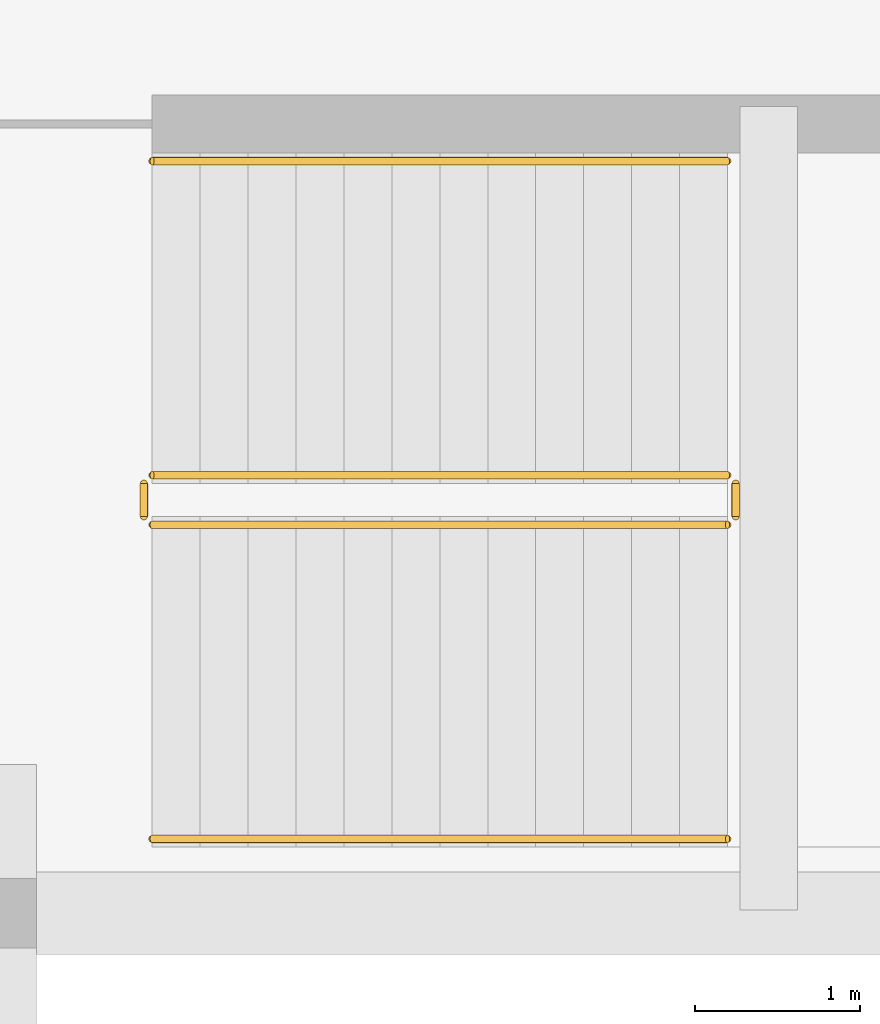
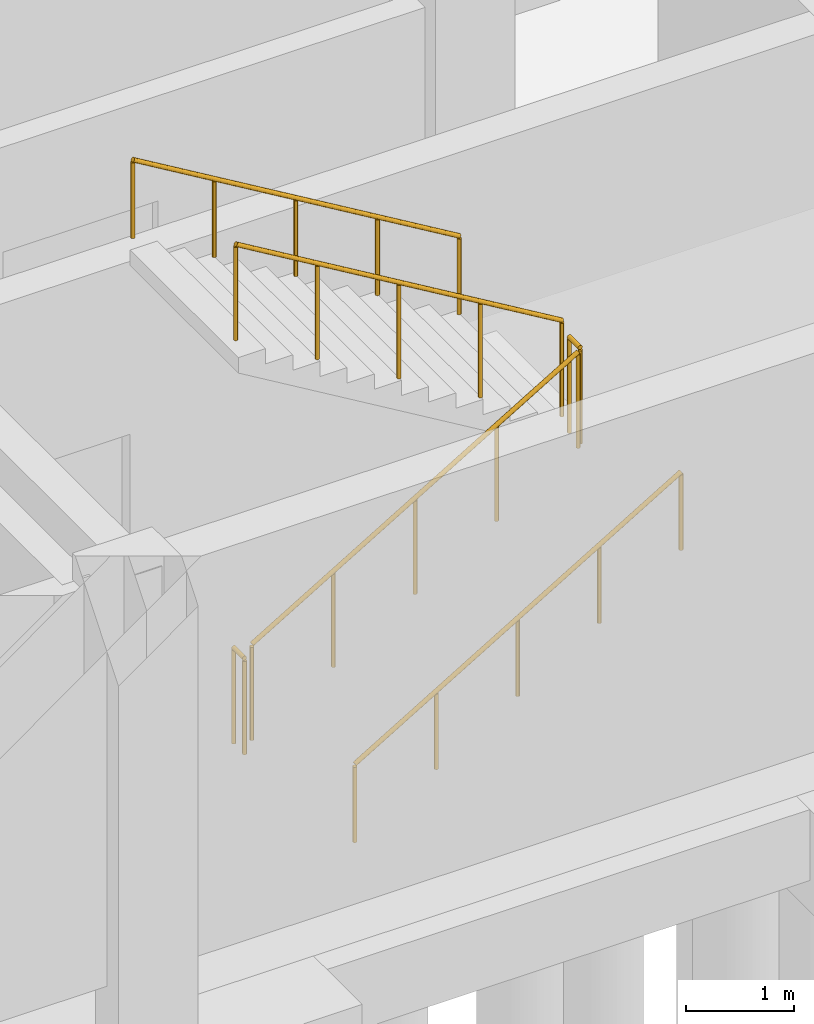
# One storey, part 23 of 26: 6 railings.
"""IFC4 building model written with IfcOpenShell, lengths in metres."""

from ifc_helpers import new_model, si_unit, direction, frame, origin, origin_2d, place, context, subcontext, project, spatial, circle, extrude, material, type_object, element, save


model = new_model("IFC4")

# Units and contexts
model_context = context("Model", 3, precision=1e-05, world=origin(), true_north=direction((0.0, 1.0)))
body_context = subcontext(model_context, "Body", "Model", "MODEL_VIEW")
ifc_project = project(units=[si_unit("LENGTHUNIT", "METRE"), si_unit("AREAUNIT", "SQUARE_METRE"), si_unit("VOLUMEUNIT", "CUBIC_METRE"), si_unit("PLANEANGLEUNIT", "RADIAN"), si_unit("MASSUNIT", "GRAM", prefix="KILO")], contexts=[model_context])

# Site, building, storey
site_placement = place(None, origin())
site = spatial("IfcSite", under=ifc_project, at=site_placement, CompositionType="ELEMENT")
building_placement = place(site_placement, origin())
building = spatial("IfcBuilding", under=site, at=building_placement, Name="Qorikala Patio Media Centre", CompositionType="ELEMENT")
storey_placement = place(building_placement, frame((0.0, 0.0, -4.5)))
storey = spatial("IfcBuildingStorey", under=building, at=storey_placement, Name="B1", CompositionType="ELEMENT", Elevation=-4.5)

# Railings
ifc_material_1 = material(Name="Wrought Bronze and Steel S355", Category="steel")
railing_type_1 = type_object("IfcRailingType", Name="RL-GUARD-110", PredefinedType="GUARDRAIL", material=ifc_material_1)
railing_1_placement = place(storey_placement, frame((124.60009765625, 5.35009765625, 0.173095703125)))
element("IfcRailing", 1, at=railing_1_placement, inside=storey, type_object=railing_type_1, Name="B1 ST-7 stair guard 1", PredefinedType="GUARDRAIL", context=body_context, shape_type="SweptSolid", body=[
    extrude(circle(Radius=0.02392578125, at=origin_2d()), frame((0.0, 0.0, 1.076171875), z_axis=(0.858697190188, 0.0, 0.512483302717), x_axis=(0.0, 1.0, 0.0)), (0.0, 0.0, 1.0), 4.052734375),
    extrude(circle(Radius=0.02099609375, at=origin_2d()), origin(), (0.0, 0.0, 1.0), 1.052001953125),
    extrude(circle(Radius=0.02099609375, at=origin_2d()), frame((0.8701171875, 0.0, 0.519287109375)), (0.0, 0.0, 1.0), 1.052001953125),
    extrude(circle(Radius=0.02099609375, at=origin_2d()), frame((1.739990234375, 0.0, 1.03857421875)), (0.0, 0.0, 1.0), 1.052001953125),
    extrude(circle(Radius=0.02099609375, at=origin_2d()), frame((2.60986328125, 0.0, 1.5576171875)), (0.0, 0.0, 1.0), 1.052001953125),
    extrude(circle(Radius=0.02099609375, at=origin_2d()), frame((3.47998046875, 0.0, 2.076904296875)), (0.0, 0.0, 1.0), 1.052001953125),
])
railing_2_placement = place(storey_placement, frame((128.1298828125, 5.39990234375, 2.25)))
element("IfcRailing", 2, at=railing_2_placement, inside=storey, type_object=railing_type_1, Name="B1 ST-7 stair guard 2", PredefinedType="GUARDRAIL", context=body_context, shape_type="SweptSolid", body=[
    extrude(circle(Radius=0.02392578125, at=origin_2d()), frame((0.0, 0.0, 1.076171875), z_axis=(0.0, 1.0, 0.0), x_axis=(-1.0, 0.0, 0.0)), (0.0, 0.0, 1.0), 0.2001953125),
    extrude(circle(Radius=0.02099609375, at=origin_2d()), origin(), (0.0, 0.0, 1.0), 1.052001953125),
    extrude(circle(Radius=0.02099609375, at=origin_2d()), frame((0.0, 0.2001953125, 0.0)), (0.0, 0.0, 1.0), 1.052001953125),
])
railing_3_placement = place(storey_placement, frame((128.080078125, 5.64990234375, 2.423095703125)))
element("IfcRailing", 3, at=railing_3_placement, inside=storey, type_object=railing_type_1, Name="B1 ST-7 stair guard 3", PredefinedType="GUARDRAIL", context=body_context, shape_type="SweptSolid", body=[
    extrude(circle(Radius=0.02392578125, at=origin_2d()), frame((0.0, 0.0, 1.076171875), z_axis=(-0.858697190188, 0.0, 0.512483302717), x_axis=(0.0, -1.0, 0.0)), (0.0, 0.0, 1.0), 4.052734375),
    extrude(circle(Radius=0.02099609375, at=origin_2d()), origin(), (0.0, 0.0, 1.0), 1.052001953125),
    extrude(circle(Radius=0.02099609375, at=origin_2d()), frame((-0.8701171875, 0.0, 0.519287109375)), (0.0, 0.0, 1.0), 1.052001953125),
    extrude(circle(Radius=0.02099609375, at=origin_2d()), frame((-1.739990234375, 0.0, 1.03857421875)), (0.0, 0.0, 1.0), 1.052001953125),
    extrude(circle(Radius=0.02099609375, at=origin_2d()), frame((-2.60986328125, 0.0, 1.5576171875)), (0.0, 0.0, 1.0), 1.052001953125),
    extrude(circle(Radius=0.02099609375, at=origin_2d()), frame((-3.47998046875, 0.0, 2.076904296875)), (0.0, 0.0, 1.0), 1.052001953125),
])
railing_4_placement = place(storey_placement, frame((124.550048828125, 5.39990234375, 0.0)))
element("IfcRailing", 4, at=railing_4_placement, inside=storey, type_object=railing_type_1, Name="B1 ST-7 stair guard 4", PredefinedType="GUARDRAIL", context=body_context, shape_type="SweptSolid", body=[
    extrude(circle(Radius=0.02392578125, at=origin_2d()), frame((0.0, 0.0, 1.076171875), z_axis=(0.0, 1.0, 0.0), x_axis=(-1.0, 0.0, 0.0)), (0.0, 0.0, 1.0), 0.2001953125),
    extrude(circle(Radius=0.02099609375, at=origin_2d()), origin(), (0.0, 0.0, 1.0), 1.052001953125),
    extrude(circle(Radius=0.02099609375, at=origin_2d()), frame((0.0, 0.2001953125, 0.0)), (0.0, 0.0, 1.0), 1.052001953125),
])
ifc_material_2 = material(Name="Brushed Bronze Tubular Steel S355", Category="steel")
railing_type_2 = type_object("IfcRailingType", Name="RL-HAND-090", PredefinedType="HANDRAIL", material=ifc_material_2)
railing_5_placement = place(storey_placement, frame((124.60009765625, 3.449951171875, 0.173095703125)))
element("IfcRailing", 5, at=railing_5_placement, inside=storey, type_object=railing_type_2, Name="B1 ST-7 stair handrail 1", PredefinedType="HANDRAIL", context=body_context, shape_type="SweptSolid", body=[
    extrude(circle(Radius=0.02392578125, at=origin_2d()), frame((0.0, 0.0, 0.8759765625), z_axis=(0.858697190188, 0.0, 0.512483302717), x_axis=(0.0, 1.0, 0.0)), (0.0, 0.0, 1.0), 4.052734375),
    extrude(circle(Radius=0.02099609375, at=origin_2d()), origin(), (0.0, 0.0, 1.0), 0.851806640625),
    extrude(circle(Radius=0.02099609375, at=origin_2d()), frame((0.8701171875, 0.0, 0.519287109375)), (0.0, 0.0, 1.0), 0.851806640625),
    extrude(circle(Radius=0.02099609375, at=origin_2d()), frame((1.739990234375, 0.0, 1.03857421875)), (0.0, 0.0, 1.0), 0.851806640625),
    extrude(circle(Radius=0.02099609375, at=origin_2d()), frame((2.60986328125, 0.0, 1.5576171875)), (0.0, 0.0, 1.0), 0.851806640625),
    extrude(circle(Radius=0.02099609375, at=origin_2d()), frame((3.47998046875, 0.0, 2.076904296875)), (0.0, 0.0, 1.0), 0.851806640625),
])
railing_6_placement = place(storey_placement, frame((128.080078125, 7.550048828125, 2.423095703125)))
element("IfcRailing", 6, at=railing_6_placement, inside=storey, type_object=railing_type_2, Name="B1 ST-7 stair handrail 2", PredefinedType="HANDRAIL", context=body_context, shape_type="SweptSolid", body=[
    extrude(circle(Radius=0.02392578125, at=origin_2d()), frame((0.0, 0.0, 0.8759765625), z_axis=(-0.858697190188, 0.0, 0.512483302717), x_axis=(0.0, -1.0, 0.0)), (0.0, 0.0, 1.0), 4.052734375),
    extrude(circle(Radius=0.02099609375, at=origin_2d()), origin(), (0.0, 0.0, 1.0), 0.851806640625),
    extrude(circle(Radius=0.02099609375, at=origin_2d()), frame((-0.8701171875, 0.0, 0.519287109375)), (0.0, 0.0, 1.0), 0.851806640625),
    extrude(circle(Radius=0.02099609375, at=origin_2d()), frame((-1.739990234375, 0.0, 1.03857421875)), (0.0, 0.0, 1.0), 0.851806640625),
    extrude(circle(Radius=0.02099609375, at=origin_2d()), frame((-2.60986328125, 0.0, 1.5576171875)), (0.0, 0.0, 1.0), 0.851806640625),
    extrude(circle(Radius=0.02099609375, at=origin_2d()), frame((-3.47998046875, 0.0, 2.076904296875)), (0.0, 0.0, 1.0), 0.851806640625),
])

save(model, "model.ifc")
